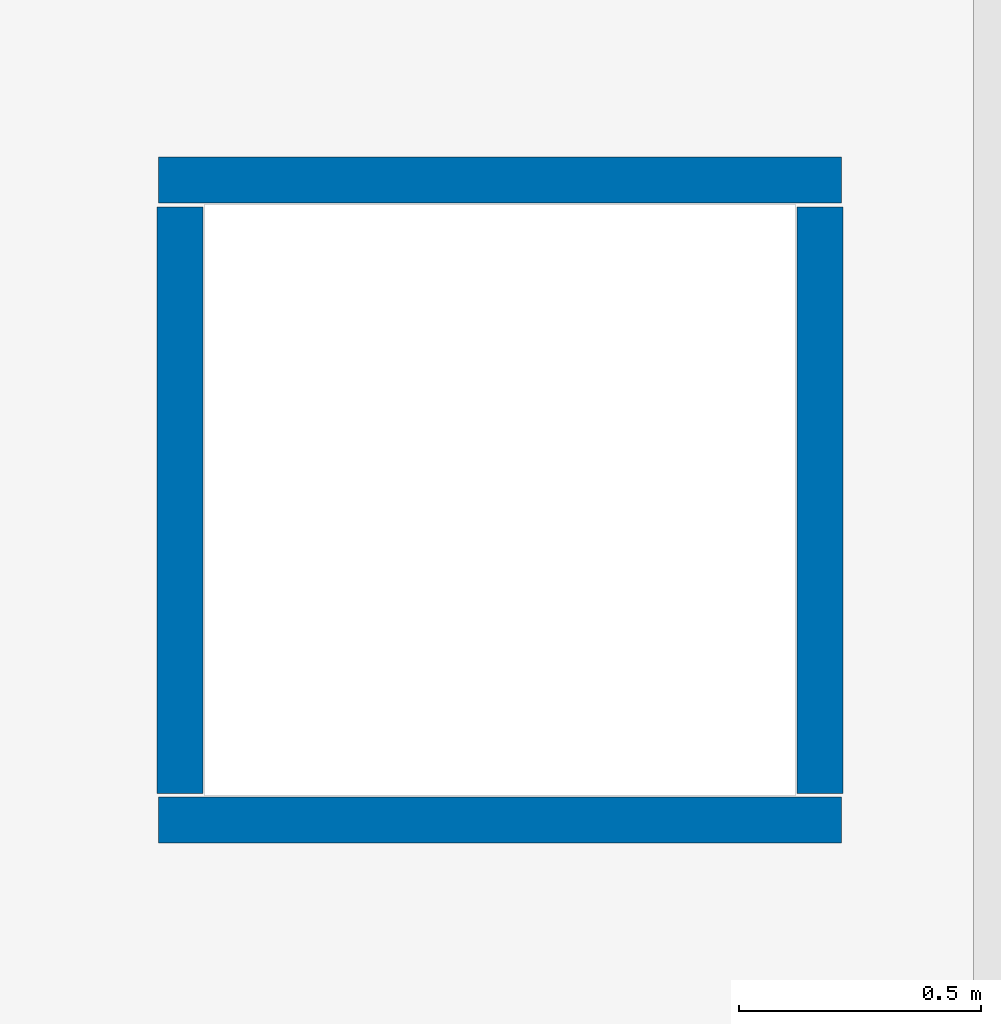
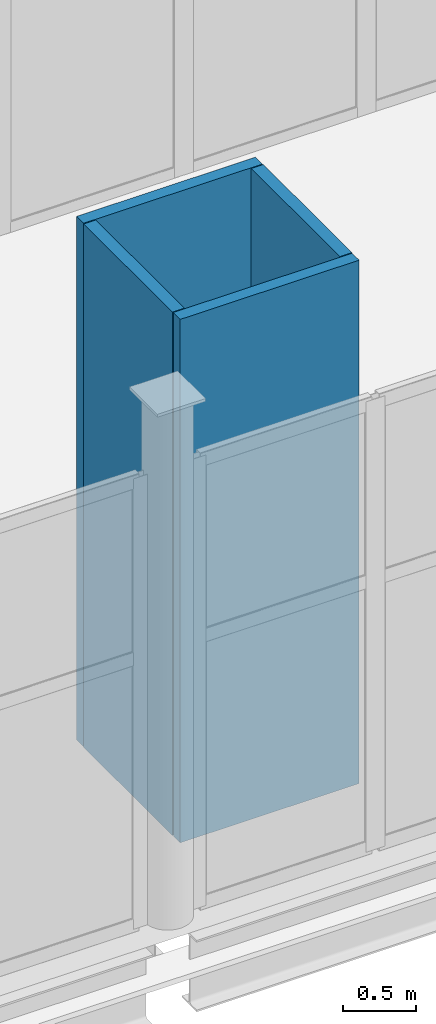
# One storey, part 152 of 172: 4 walls.
"""IFC4 building model written with IfcOpenShell, lengths in metres."""

import ifcopenshell
import ifcopenshell.guid

model = None  # the IFC model being written
_history = None  # IfcOwnerHistory: only IFC2X3 demands one
_inside = {}  # id of a spatial element -> (the spatial element, [elements in it])
_under = {}  # id of a project, library or spatial element -> (it, [spatial elements below it])
_declared = {}  # id of a project -> (the project, [libraries it declares])
_typed = {}  # id of a type object -> (the type object, [elements of that type])
_made_of = {}  # id of a material, layer set ... -> (it, [elements and type objects made of it])


def new_model(schema):
    """Start an empty IFC model of exactly this schema.

    Asked for "IFC4X3", IfcOpenShell would pick the latest addendum, in which some entities
    have other attributes; the version numbers below select the first issue.
    IFC2X3 requires an IfcOwnerHistory on every rooted entity: one is made here for all.
    """
    global model, _history
    if schema == "IFC4X3":
        model = ifcopenshell.file(schema_version=(4, 3, 0, 0))
    else:
        model = ifcopenshell.file(schema=schema)
    _inside.clear()
    _under.clear()
    _declared.clear()
    _typed.clear()
    _made_of.clear()
    _history = None
    if model.schema == "IFC2X3":
        org = make("IfcOrganization", Name="unknown")
        user = make(
            "IfcPersonAndOrganization",
            ThePerson=make("IfcPerson", FamilyName="unknown"),
            TheOrganization=org,
        )
        app = make(
            "IfcApplication",
            ApplicationDeveloper=org,
            Version="unknown",
            ApplicationFullName="unknown",
            ApplicationIdentifier="unknown",
        )
        _history = make(
            "IfcOwnerHistory",
            OwningUser=user,
            OwningApplication=app,
            ChangeAction="ADDED",
            CreationDate=0,
        )
    return model


def make(cls, **values):
    """One entity of the class cls with the attributes given. An attribute that is None is left unset."""
    return model.create_entity(
        cls, **{name: value for name, value in values.items() if value is not None}
    )


def rooted(cls, **values):
    """An entity with a GlobalId (a new one), such as an element, a storey or a relation."""
    return make(cls, GlobalId=ifcopenshell.guid.new(), OwnerHistory=_history, **values)


def si_unit(unit_type, name, prefix=None):
    """IfcSIUnit, for example si_unit("LENGTHUNIT", "METRE", prefix="MILLI")."""
    return make("IfcSIUnit", UnitType=unit_type, Prefix=prefix, Name=name)


def assignment(units):
    """IfcUnitAssignment: the units of a project."""
    return None if units is None else make("IfcUnitAssignment", Units=units)


def point(xyz):
    """IfcCartesianPoint."""
    return None if xyz is None else make("IfcCartesianPoint", Coordinates=xyz)


def direction(xyz):
    """IfcDirection."""
    return None if xyz is None else make("IfcDirection", DirectionRatios=xyz)


def frame(location, z_axis=None, x_axis=None):
    """IfcAxis2Placement3D, a coordinate frame: its origin and axes. An axis left out is left unset."""
    return make(
        "IfcAxis2Placement3D",
        Location=point(location),
        Axis=direction(z_axis),
        RefDirection=direction(x_axis),
    )


def frame_2d(location, x_axis=None):
    """IfcAxis2Placement2D, a coordinate frame in the plane: its origin and x axis."""
    return make(
        "IfcAxis2Placement2D", Location=point(location), RefDirection=direction(x_axis)
    )


def origin():
    """The frame at (0, 0, 0) with its axes left unset."""
    return frame((0.0, 0.0, 0.0))


def place(relative_to, where):
    """IfcLocalPlacement: puts the frame where relative to a parent placement (None: the world)."""
    return make(
        "IfcLocalPlacement", PlacementRelTo=relative_to, RelativePlacement=where
    )


def context(
    kind, dimensions, precision=None, world=None, true_north=None, identifier=None
):
    """IfcGeometricRepresentationContext, for example the 3D "Model" context."""
    return make(
        "IfcGeometricRepresentationContext",
        ContextIdentifier=identifier,
        ContextType=kind,
        CoordinateSpaceDimension=dimensions,
        Precision=precision,
        WorldCoordinateSystem=world,
        TrueNorth=true_north,
    )


def subcontext(parent, identifier, kind, view, scale=None):
    """IfcGeometricRepresentationSubContext, for example "Body" below "Model"."""
    return make(
        "IfcGeometricRepresentationSubContext",
        ContextIdentifier=identifier,
        ContextType=kind,
        ParentContext=parent,
        TargetScale=scale,
        TargetView=view,
    )


def project(units=None, contexts=None):
    """IfcProject with its units and contexts."""
    return rooted(
        "IfcProject",
        Name="project",
        RepresentationContexts=contexts,
        UnitsInContext=assignment(units),
    )


def spatial(cls, under=None, at=None, **own):
    """A site, building, storey or space (cls), placed at a placement, below another one or the project."""
    s = rooted(cls, ObjectPlacement=at, **own)
    if under is not None:
        _under.setdefault(under.id(), (under, []))[1].append(s)
    return s


def profile(cls, at=None, kind="AREA", **sizes):
    """A parametric profile (cls). Its sizes go by their IFC names, for example OverallWidth=200.0."""
    return make(cls, ProfileType=kind, Position=at, **sizes)


def rectangle(**sizes):
    """IfcRectangleProfileDef."""
    return profile("IfcRectangleProfileDef", **sizes)


def extrude(swept, where, along, depth):
    """IfcExtrudedAreaSolid: the profile swept, set in the frame where, extruded along a direction by depth."""
    return make(
        "IfcExtrudedAreaSolid",
        SweptArea=swept,
        Position=where,
        ExtrudedDirection=direction(along),
        Depth=depth,
    )


def shape(context_of_items, identifier, shape_type, items):
    """IfcShapeRepresentation: the items that make up one representation, for example the "Body"."""
    return make(
        "IfcShapeRepresentation",
        ContextOfItems=context_of_items,
        RepresentationIdentifier=identifier,
        RepresentationType=shape_type,
        Items=items,
    )


def material(Name=None, Category=None):
    """IfcMaterial."""
    return make("IfcMaterial", Name=Name, Category=Category)


def layer(
    of_material, thickness, ventilated=None, Name=None, Category=None, Priority=None
):
    """IfcMaterialLayer: one layer of a wall or slab, of a material (None: an air gap)."""
    return make(
        "IfcMaterialLayer",
        Material=of_material,
        LayerThickness=thickness,
        IsVentilated=ventilated,
        Name=Name,
        Category=Category,
        Priority=Priority,
    )


def layer_set(layers, Name=None):
    """IfcMaterialLayerSet."""
    return make("IfcMaterialLayerSet", MaterialLayers=layers, LayerSetName=Name)


def made_of(thing, what):
    """Note that an element or type object is made of a material, layer set ...; save() writes the relation."""
    if what is not None:
        _made_of.setdefault(what.id(), (what, []))[1].append(thing)
    return thing


def type_object(cls, material=None, **own):
    """A type object (cls), such as IfcWallType, which elements share."""
    return made_of(rooted(cls, **own), material)


def element(
    cls,
    number,
    at=None,
    inside=None,
    cuts=None,
    type_object=None,
    material=None,
    context=None,
    identifier="Body",
    shape_type=None,
    held_by="IfcProductDefinitionShape",
    body=None,
    shapes=None,
    **own,
):
    """One element of the class cls, such as IfcWall. Its Tag is "e" and its number.

    at: its placement. inside: the storey or other place that contains it. cuts: it is an
    opening in that element (IfcRelVoidsElement). A single representation is given by context,
    identifier, shape_type and body (its items); several are given by shapes. held_by: the class
    of the entity that holds the representations. save() writes the other relations.
    """
    e = rooted(cls, Tag="e%d" % number, ObjectPlacement=at, **own)
    if body is not None:
        shapes = [shape(context, identifier, shape_type, body)]
    if shapes is not None:
        e.Representation = make(held_by, Representations=shapes)
    if inside is not None:
        _inside.setdefault(inside.id(), (inside, []))[1].append(e)
    if cuts is not None:
        rooted(
            "IfcRelVoidsElement", RelatingBuildingElement=cuts, RelatedOpeningElement=e
        )
    if type_object is not None:
        _typed.setdefault(type_object.id(), (type_object, []))[1].append(e)
    return made_of(e, material)


def aggregate(whole, parts):
    """IfcRelAggregates: a whole, such as a stair, and the parts it consists of."""
    return rooted("IfcRelAggregates", RelatingObject=whole, RelatedObjects=parts)


def save(model, path):
    """Write the relations noted so far, then the file.

    IfcRelAggregates (storeys below a building ...), IfcRelContainedInSpatialStructure (elements
    in a storey), IfcRelDefinesByType, IfcRelAssociatesMaterial and IfcRelDeclares: one each for
    every whole, place, type object, material and project.
    """
    for whole, parts in _under.values():
        aggregate(whole, parts)
    for where, things in _inside.values():
        rooted(
            "IfcRelContainedInSpatialStructure",
            RelatedElements=things,
            RelatingStructure=where,
        )
    for kind, things in _typed.values():
        rooted("IfcRelDefinesByType", RelatedObjects=things, RelatingType=kind)
    for what, things in _made_of.values():
        rooted("IfcRelAssociatesMaterial", RelatedObjects=things, RelatingMaterial=what)
    for by, libraries in _declared.values():
        rooted("IfcRelDeclares", RelatingContext=by, RelatedDefinitions=libraries)
    model.write(path)


model = new_model("IFC4")

# Units and contexts
model_context = context("Model", 3, precision=1e-05, world=origin(), true_north=direction((0.0, 1.0)))
body_context = subcontext(model_context, "Body", "Model", "MODEL_VIEW")
ifc_project = project(units=[si_unit("LENGTHUNIT", "METRE"), si_unit("AREAUNIT", "SQUARE_METRE"), si_unit("VOLUMEUNIT", "CUBIC_METRE"), si_unit("PLANEANGLEUNIT", "RADIAN"), si_unit("MASSUNIT", "GRAM", prefix="KILO")], contexts=[model_context])

# Site, building, storey
site_placement = place(None, origin())
site = spatial("IfcSite", under=ifc_project, at=site_placement, CompositionType="ELEMENT")
building_placement = place(site_placement, origin())
building = spatial("IfcBuilding", under=site, at=building_placement, Name="Shengluoqiao Park Theatre", CompositionType="ELEMENT")
storey_placement = place(building_placement, frame((0.0, 0.0, 5.39990234375)))
storey = spatial("IfcBuildingStorey", under=building, at=storey_placement, Name="L01", CompositionType="ELEMENT", Elevation=5.39990234375)

# Walls
ifc_material = material(Name="Gypsum shaftwall", Category="gypsum")
ifc_layer = layer(ifc_material, 0.094970703125, Name="Gypsum shaftwall")
ifc_layer_set = layer_set([ifc_layer], Name="Gypsum shaftwall")
wall_type = type_object("IfcWallType", Name="INT-WL-RSR095", PredefinedType="PARTITIONING", material=ifc_layer_set)
for number, where, z_axis, x_axis, name in (
    (1, (121.905029296875, 53.949951171875, 0.0), (0.0, 0.0, 1.0), (1.0, 0.0, 0.0), "L01 Service Riser Shaftwall 089"),
    (2, (121.905029296875, 55.27001953125, 0.0), (0.0, 0.0, 1.0), (1.0, 0.0, 0.0), "L01 Service Riser Shaftwall 090"),
):
    element("IfcWall", number, at=place(storey_placement, frame(where, z_axis=z_axis, x_axis=x_axis)), inside=storey, type_object=wall_type, Name=name, PredefinedType="PARTITIONING", context=body_context, shape_type="SweptSolid", body=[
        extrude(rectangle(XDim=1.409912109375, YDim=0.094970703125, at=frame_2d((0.705078125, 0.0))), origin(), (0.0, 0.0, 1.0), 4.360107421875),
    ])
for number, where, z_axis, x_axis, name in (
    (3, (121.949951171875, 54.0048828125, 0.0), (0.0, 0.0, 1.0), (0.0, 1.0, 0.0), "L01 Service Riser Shaftwall 091"),
    (4, (123.27001953125, 54.0048828125, 0.0), (0.0, 0.0, 1.0), (0.0, 1.0, 0.0), "L01 Service Riser Shaftwall 092"),
):
    element("IfcWall", number, at=place(storey_placement, frame(where, z_axis=z_axis, x_axis=x_axis)), inside=storey, type_object=wall_type, Name=name, PredefinedType="PARTITIONING", context=body_context, shape_type="SweptSolid", body=[
        extrude(rectangle(XDim=1.210205078125, YDim=0.094970703125, at=frame_2d((0.60498046875, 0.0))), origin(), (0.0, 0.0, 1.0), 4.360107421875),
    ])

save(model, "model.ifc")
